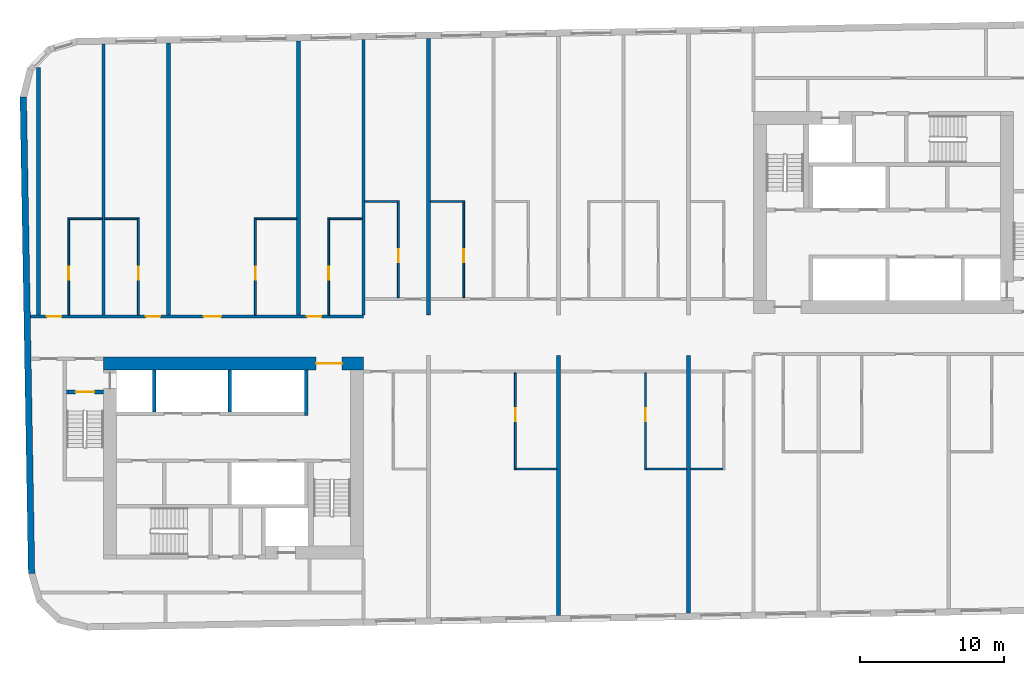
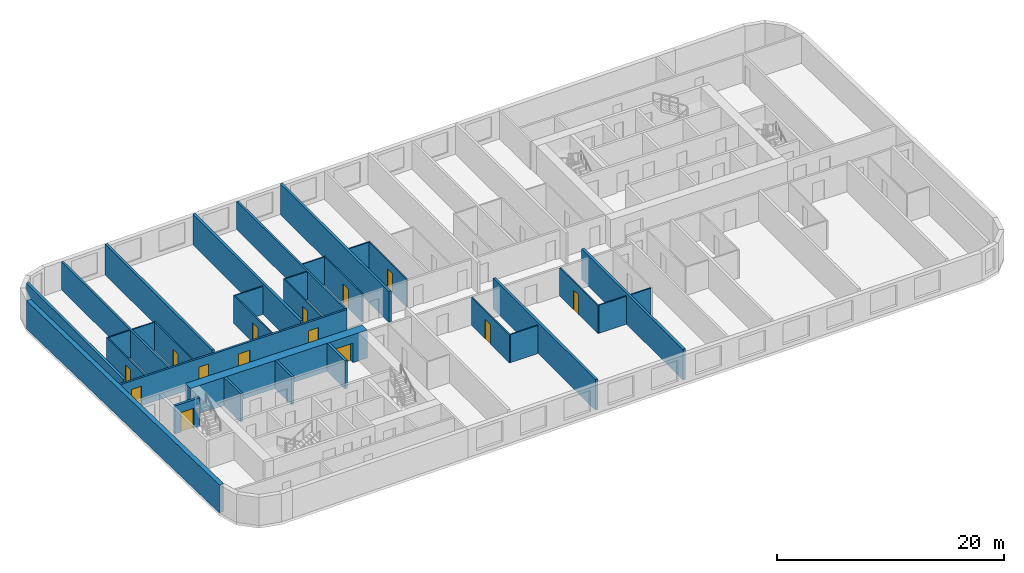
# One storey, part 3 of 11: 32 walls, 14 doors, 14 openings.
"""IFC4 building model written with IfcOpenShell, lengths in metres."""

from ifc_helpers import new_model, si_unit, direction, frame, frame_2d, origin, place, context, subcontext, project, spatial, rectangle, extrude, material, layer, layer_set, type_object, element, fill, save


model = new_model("IFC4")

# Units and contexts
model_context = context("Model", 3, precision=1e-05, world=origin(), true_north=direction((0.0, 1.0)))
body_context = subcontext(model_context, "Body", "Model", "MODEL_VIEW")
ifc_project = project(units=[si_unit("LENGTHUNIT", "METRE"), si_unit("AREAUNIT", "SQUARE_METRE"), si_unit("VOLUMEUNIT", "CUBIC_METRE"), si_unit("PLANEANGLEUNIT", "RADIAN"), si_unit("MASSUNIT", "GRAM", prefix="KILO")], contexts=[model_context])

# Site, building, storey
site_placement = place(None, origin())
site = spatial("IfcSite", under=ifc_project, at=site_placement, CompositionType="ELEMENT")
building_placement = place(site_placement, origin())
building = spatial("IfcBuilding", under=site, at=building_placement, Name="Kajstack Hotel Tower", CompositionType="ELEMENT")
storey_placement = place(building_placement, frame((0.0, 0.0, 221.0)))
storey = spatial("IfcBuildingStorey", under=building, at=storey_placement, Name="L53", CompositionType="ELEMENT", Elevation=221.0)

# Wall, opening, door
ifc_material_1 = material(Name="Concrete C60/75", Category="concrete")
ifc_layer_1 = layer(ifc_material_1, 0.89990234375)
ifc_layer_set_1 = layer_set([ifc_layer_1], Name="Core wall 900")
wall_type_1 = type_object("IfcWallType", Name="Core wall 900", PredefinedType="SHEAR", material=ifc_layer_set_1)
wall_1_placement = place(storey_placement, frame((-31.5, -1.949951171875, 0.0), z_axis=(0.0, 0.0, 1.0), x_axis=(1.0, 0.0, 0.0)))
wall_1 = element("IfcWall", 1, at=wall_1_placement, inside=storey, type_object=wall_type_1, Name="Core wall W RN", PredefinedType="SHEAR", context=body_context, shape_type="SweptSolid", body=[
    extrude(rectangle(XDim=18.0, YDim=0.89990234375, at=frame_2d((9.0, 0.0))), origin(), (0.0, 0.0, 1.0), 3.02001953125),
])
opening_1_placement = place(wall_1_placement, frame((14.72509765625, 0.0, 0.0)))
opening_1 = element("IfcOpeningElement", 2, at=opening_1_placement, cuts=wall_1, Name="Opening 53W07", PredefinedType="OPENING", context=body_context, shape_type="SweptSolid", body=[
    extrude(rectangle(XDim=1.800048828125, YDim=2.10009765625, at=frame_2d((0.89990234375, 1.050048828125))), frame((0.0, 0.4599609375, 0.0), z_axis=(0.0, -1.0, 0.0), x_axis=(1.0, 0.0, 0.0)), (0.0, 0.0, 1.0), 0.919921875),
])
ifc_material_2 = material(Name="Glazed steel frame, fire-rated glass", Category="steel")
door_type_1 = type_object("IfcDoorType", Name="Lobby double door 1800", OperationType="DOUBLE_DOOR_DOUBLE_SWING", PredefinedType="DOOR", material=ifc_material_2)
door_1_placement = place(opening_1_placement, origin())
door_1 = element("IfcDoor", 3, at=door_1_placement, inside=storey, type_object=door_type_1, Name="Door 53W07", OperationType="DOUBLE_DOOR_DOUBLE_SWING", OverallHeight=2.10009765625, OverallWidth=1.800048828125, PredefinedType="DOOR", context=body_context, shape_type="SweptSolid", body=[
    extrude(rectangle(XDim=1.800048828125, YDim=2.10009765625, at=frame_2d((0.89990234375, 1.050048828125))), frame((0.0, 0.02490234375, 0.0), z_axis=(0.0, -1.0, 0.0), x_axis=(1.0, 0.0, 0.0)), (0.0, 0.0, 1.0), 0.050048828125),
])
fill(opening_1, door_1)

# Wall, openings, doors
ifc_material_3 = material(Name="Gypsum board on steel studs, mineral wool", Category="steel")
ifc_layer_2 = layer(ifc_material_3, 0.199951171875)
ifc_layer_set_2 = layer_set([ifc_layer_2], Name="Corridor wall 200")
wall_type_2 = type_object("IfcWallType", Name="Corridor wall 200", PredefinedType="PARTITIONING", material=ifc_layer_set_2)
wall_2_placement = place(storey_placement, frame((-36.56591796875, 1.300048828125, 0.0), z_axis=(0.0, 0.0, 1.0), x_axis=(1.0, 0.0, 0.0)))
wall_2 = element("IfcWall", 4, at=wall_2_placement, inside=storey, type_object=wall_type_2, Name="G-wall-L53-003", PredefinedType="PARTITIONING", context=body_context, shape_type="SweptSolid", body=[
    extrude(rectangle(XDim=23.06591796875, YDim=0.199951171875, at=frame_2d((11.532958984375, 0.0))), origin(), (0.0, 0.0, 1.0), 3.02001953125),
])
opening_2_placement = place(wall_2_placement, frame((1.14111328125, 0.0, 0.0)))
opening_2 = element("IfcOpeningElement", 5, at=opening_2_placement, cuts=wall_2, Name="Opening 53001", PredefinedType="OPENING", context=body_context, shape_type="SweptSolid", body=[
    extrude(rectangle(XDim=1.0, YDim=2.10009765625, at=frame_2d((0.5, 1.050048828125))), frame((0.0, 0.10986328125, 0.0), z_axis=(0.0, -1.0, 0.0), x_axis=(1.0, 0.0, 0.0)), (0.0, 0.0, 1.0), 0.219970703125),
])
opening_3_placement = place(wall_2_placement, frame((7.990966796875, 0.0, 0.0)))
opening_3 = element("IfcOpeningElement", 6, at=opening_3_placement, cuts=wall_2, Name="Opening 53003", PredefinedType="OPENING", context=body_context, shape_type="SweptSolid", body=[
    extrude(rectangle(XDim=1.0, YDim=2.10009765625, at=frame_2d((0.5, 1.050048828125))), frame((0.0, 0.10986328125, 0.0), z_axis=(0.0, -1.0, 0.0), x_axis=(1.0, 0.0, 0.0)), (0.0, 0.0, 1.0), 0.219970703125),
])
opening_4_placement = place(wall_2_placement, frame((12.00390625, 0.0, 0.0)))
opening_4 = element("IfcOpeningElement", 7, at=opening_4_placement, cuts=wall_2, Name="Opening 53005", PredefinedType="OPENING", context=body_context, shape_type="SweptSolid", body=[
    extrude(rectangle(XDim=1.199951171875, YDim=2.10009765625, at=frame_2d((0.60009765625, 1.050048828125))), frame((0.0, 0.10986328125, 0.0), z_axis=(0.0, -1.0, 0.0), x_axis=(1.0, 0.0, 0.0)), (0.0, 0.0, 1.0), 0.219970703125),
])
opening_5_placement = place(wall_2_placement, frame((19.14111328125, 0.0, 0.0)))
opening_5 = element("IfcOpeningElement", 8, at=opening_5_placement, cuts=wall_2, Name="Opening 53007", PredefinedType="OPENING", context=body_context, shape_type="SweptSolid", body=[
    extrude(rectangle(XDim=1.0, YDim=2.10009765625, at=frame_2d((0.5, 1.050048828125))), frame((0.0, 0.10986328125, 0.0), z_axis=(0.0, -1.0, 0.0), x_axis=(1.0, 0.0, 0.0)), (0.0, 0.0, 1.0), 0.219970703125),
])
ifc_material_4 = material(Name="Oak veneer on timber core, fire-rated leaf", Category="wood")
door_type_2 = type_object("IfcDoorType", Name="Flat entrance door 1000", OperationType="SINGLE_SWING_LEFT", PredefinedType="DOOR", material=ifc_material_4)
door_2_placement = place(opening_2_placement, origin())
door_2 = element("IfcDoor", 9, at=door_2_placement, inside=storey, type_object=door_type_2, Name="G-door-L53-01", OperationType="SINGLE_SWING_LEFT", OverallHeight=2.10009765625, OverallWidth=1.0, PredefinedType="DOOR", context=body_context, shape_type="SweptSolid", body=[
    extrude(rectangle(XDim=1.0, YDim=2.10009765625, at=frame_2d((0.5, 1.050048828125))), frame((0.0, 0.02490234375, 0.0), z_axis=(0.0, -1.0, 0.0), x_axis=(1.0, 0.0, 0.0)), (0.0, 0.0, 1.0), 0.050048828125),
])
fill(opening_2, door_2)
door_3_placement = place(opening_3_placement, origin())
door_3 = element("IfcDoor", 10, at=door_3_placement, inside=storey, type_object=door_type_2, Name="G-door-L53-03", OperationType="SINGLE_SWING_LEFT", OverallHeight=2.10009765625, OverallWidth=1.0, PredefinedType="DOOR", context=body_context, shape_type="SweptSolid", body=[
    extrude(rectangle(XDim=1.0, YDim=2.10009765625, at=frame_2d((0.5, 1.050048828125))), frame((0.0, 0.02490234375, 0.0), z_axis=(0.0, -1.0, 0.0), x_axis=(1.0, 0.0, 0.0)), (0.0, 0.0, 1.0), 0.050048828125),
])
fill(opening_3, door_3)
door_4_placement = place(opening_5_placement, origin())
door_4 = element("IfcDoor", 11, at=door_4_placement, inside=storey, type_object=door_type_2, Name="G-door-L53-07", OperationType="SINGLE_SWING_LEFT", OverallHeight=2.10009765625, OverallWidth=1.0, PredefinedType="DOOR", context=body_context, shape_type="SweptSolid", body=[
    extrude(rectangle(XDim=1.0, YDim=2.10009765625, at=frame_2d((0.5, 1.050048828125))), frame((0.0, 0.02490234375, 0.0), z_axis=(0.0, -1.0, 0.0), x_axis=(1.0, 0.0, 0.0)), (0.0, 0.0, 1.0), 0.050048828125),
])
fill(opening_5, door_4)
door_type_3 = type_object("IfcDoorType", Name="Flat entrance door 1200", OperationType="SINGLE_SWING_LEFT", PredefinedType="DOOR", material=ifc_material_4)
door_5_placement = place(opening_4_placement, origin())
door_5 = element("IfcDoor", 12, at=door_5_placement, inside=storey, type_object=door_type_3, Name="G-door-L53-05", OperationType="SINGLE_SWING_RIGHT", OverallHeight=2.10009765625, OverallWidth=1.199951171875, PredefinedType="DOOR", context=body_context, shape_type="SweptSolid", body=[
    extrude(rectangle(XDim=1.199951171875, YDim=2.10009765625, at=frame_2d((0.60009765625, 1.050048828125))), frame((0.0, 0.02490234375, 0.0), z_axis=(0.0, -1.0, 0.0), x_axis=(1.0, 0.0, 0.0)), (0.0, 0.0, 1.0), 0.050048828125),
])
fill(opening_4, door_5)

# Walls
ifc_material_5 = material(Name="Twin-frame gypsum board on steel studs, mineral wool", Category="steel")
ifc_layer_3 = layer(ifc_material_5, 0.199951171875)
ifc_layer_set_3 = layer_set([ifc_layer_3], Name="Demising wall 200")
wall_type_3 = type_object("IfcWallType", Name="Demising wall 200", PredefinedType="PARTITIONING", material=ifc_layer_set_3)
wall_3_placement = place(storey_placement, frame((-31.5, 1.39990234375, 0.0), z_axis=(0.0, 0.0, 1.0), x_axis=(0.0, 1.0, 0.0)))
element("IfcWall", 13, at=wall_3_placement, inside=storey, type_object=wall_type_3, Name="G-wall-L53-005", PredefinedType="PARTITIONING", context=body_context, shape_type="SweptSolid", body=[
    extrude(rectangle(XDim=18.7509765625, YDim=0.199951171875, at=frame_2d((9.37548828125, 0.0))), origin(), (0.0, 0.0, 1.0), 3.02001953125),
])
wall_4_placement = place(storey_placement, frame((-13.5, 1.39990234375, 0.0), z_axis=(0.0, 0.0, 1.0), x_axis=(0.0, 1.0, 0.0)))
element("IfcWall", 14, at=wall_4_placement, inside=storey, type_object=wall_type_3, Name="G-wall-L53-012", PredefinedType="PARTITIONING", context=body_context, shape_type="SweptSolid", body=[
    extrude(rectangle(XDim=19.065185546875, YDim=0.199951171875, at=frame_2d((9.53271484375, 0.0))), origin(), (0.0, 0.0, 1.0), 3.02001953125),
])
ifc_material_6 = material(Name="Terracotta-faced brick masonry", Category="masonry")
ifc_layer_4 = layer(ifc_material_6, 0.449951171875)
ifc_layer_set_4 = layer_set([ifc_layer_4], Name="EW-TERRA")
wall_type_4 = type_object("IfcWallType", Name="EW-TERRA", PredefinedType="SOLIDWALL", material=ifc_layer_set_4)
wall_5_placement = place(storey_placement, frame((-37.056884765625, 16.50341796875, 0.0), z_axis=(0.0, 0.0, 1.0), x_axis=(0.017452279857, -0.999847697366, 0.0)))
element("IfcWall", 15, at=wall_5_placement, inside=storey, type_object=wall_type_4, Name="E-wall-L53-00-00", PredefinedType="SOLIDWALL", context=body_context, shape_type="SweptSolid", body=[
    extrude(rectangle(XDim=33.000244140625, YDim=0.449951171875, at=frame_2d((16.5, 0.0))), origin(), (0.0, 0.0, 1.0), 3.02001953125),
])

# Wall, opening, door
ifc_material_7 = material(Name="Gypsum board and tiled backer on steel studs", Category="steel")
ifc_layer_5 = layer(ifc_material_7, 0.125)
ifc_layer_set_5 = layer_set([ifc_layer_5], Name="En-suite wall 125")
wall_type_5 = type_object("IfcWallType", Name="En-suite wall 125", PredefinedType="PARTITIONING", material=ifc_layer_set_5)
wall_6_placement = place(storey_placement, frame((-33.9130859375, 1.39990234375, 0.0), z_axis=(0.0, 0.0, 1.0), x_axis=(0.0, 1.0, 0.0)))
wall_6 = element("IfcWall", 16, at=wall_6_placement, inside=storey, type_object=wall_type_5, Name="G-wall-L53-006", PredefinedType="PARTITIONING", context=body_context, shape_type="SweptSolid", body=[
    extrude(rectangle(XDim=6.72509765625, YDim=0.125, at=frame_2d((3.362548828125, 0.0))), origin(), (0.0, 0.0, 1.0), 3.02001953125),
])
opening_6_placement = place(wall_6_placement, frame((2.449951171875, 0.0, 0.0)))
opening_6 = element("IfcOpeningElement", 17, at=opening_6_placement, cuts=wall_6, Name="Opening 53002", PredefinedType="OPENING", context=body_context, shape_type="SweptSolid", body=[
    extrude(rectangle(XDim=0.89990234375, YDim=2.10009765625, at=frame_2d((0.449951171875, 1.050048828125))), frame((0.0, 0.072509765625, 0.0), z_axis=(0.0, -1.0, 0.0), x_axis=(1.0, 0.0, 0.0)), (0.0, 0.0, 1.0), 0.14501953125),
])
ifc_material_8 = material(Name="Painted timber door leaf", Category="wood")
door_type_4 = type_object("IfcDoorType", Name="Room door 900", OperationType="SINGLE_SWING_LEFT", PredefinedType="DOOR", material=ifc_material_8)
door_6_placement = place(opening_6_placement, origin())
door_6 = element("IfcDoor", 18, at=door_6_placement, inside=storey, type_object=door_type_4, Name="G-door-L53-02", OperationType="SINGLE_SWING_LEFT", OverallHeight=2.10009765625, OverallWidth=0.89990234375, PredefinedType="DOOR", context=body_context, shape_type="SweptSolid", body=[
    extrude(rectangle(XDim=0.89990234375, YDim=2.10009765625, at=frame_2d((0.449951171875, 1.050048828125))), frame((0.0, 0.02490234375, 0.0), z_axis=(0.0, -1.0, 0.0), x_axis=(1.0, 0.0, 0.0)), (0.0, 0.0, 1.0), 0.050048828125),
])
fill(opening_6, door_6)

# Wall
wall_7_placement = place(storey_placement, frame((-33.85009765625, 8.06201171875, 0.0), z_axis=(0.0, 0.0, 1.0), x_axis=(1.0, 0.0, 0.0)))
element("IfcWall", 19, at=wall_7_placement, inside=storey, type_object=wall_type_5, Name="G-wall-L53-007", PredefinedType="PARTITIONING", context=body_context, shape_type="SweptSolid", body=[
    extrude(rectangle(XDim=2.25, YDim=0.125, at=frame_2d((1.125, 0.0))), origin(), (0.0, 0.0, 1.0), 3.02001953125),
])

# Wall, opening, door
wall_8_placement = place(storey_placement, frame((-29.0869140625, 1.39990234375, 0.0), z_axis=(0.0, 0.0, 1.0), x_axis=(0.0, 1.0, 0.0)))
wall_8 = element("IfcWall", 20, at=wall_8_placement, inside=storey, type_object=wall_type_5, Name="G-wall-L53-008", PredefinedType="PARTITIONING", context=body_context, shape_type="SweptSolid", body=[
    extrude(rectangle(XDim=6.72509765625, YDim=0.125, at=frame_2d((3.362548828125, 0.0))), origin(), (0.0, 0.0, 1.0), 3.02001953125),
])
opening_7_placement = place(wall_8_placement, frame((2.449951171875, 0.0, 0.0)))
opening_7 = element("IfcOpeningElement", 21, at=opening_7_placement, cuts=wall_8, Name="Opening 53004", PredefinedType="OPENING", context=body_context, shape_type="SweptSolid", body=[
    extrude(rectangle(XDim=0.89990234375, YDim=2.10009765625, at=frame_2d((0.449951171875, 1.050048828125))), frame((0.0, 0.072509765625, 0.0), z_axis=(0.0, -1.0, 0.0), x_axis=(1.0, 0.0, 0.0)), (0.0, 0.0, 1.0), 0.14501953125),
])
door_7_placement = place(opening_7_placement, origin())
door_7 = element("IfcDoor", 22, at=door_7_placement, inside=storey, type_object=door_type_4, Name="G-door-L53-04", OperationType="SINGLE_SWING_LEFT", OverallHeight=2.10009765625, OverallWidth=0.89990234375, PredefinedType="DOOR", context=body_context, shape_type="SweptSolid", body=[
    extrude(rectangle(XDim=0.89990234375, YDim=2.10009765625, at=frame_2d((0.449951171875, 1.050048828125))), frame((0.0, 0.02490234375, 0.0), z_axis=(0.0, -1.0, 0.0), x_axis=(1.0, 0.0, 0.0)), (0.0, 0.0, 1.0), 0.050048828125),
])
fill(opening_7, door_7)

# Wall
wall_9_placement = place(storey_placement, frame((-31.39990234375, 8.06201171875, 0.0), z_axis=(0.0, 0.0, 1.0), x_axis=(1.0, 0.0, 0.0)))
element("IfcWall", 23, at=wall_9_placement, inside=storey, type_object=wall_type_5, Name="G-wall-L53-009", PredefinedType="PARTITIONING", context=body_context, shape_type="SweptSolid", body=[
    extrude(rectangle(XDim=2.25, YDim=0.125, at=frame_2d((1.125, 0.0))), origin(), (0.0, 0.0, 1.0), 3.02001953125),
])

# Wall, opening, door
wall_10_placement = place(storey_placement, frame((-20.988037109375, 1.39990234375, 0.0), z_axis=(0.0, 0.0, 1.0), x_axis=(0.0, 1.0, 0.0)))
wall_10 = element("IfcWall", 24, at=wall_10_placement, inside=storey, type_object=wall_type_5, Name="G-wall-L53-010", PredefinedType="PARTITIONING", context=body_context, shape_type="SweptSolid", body=[
    extrude(rectangle(XDim=6.72509765625, YDim=0.125, at=frame_2d((3.362548828125, 0.0))), origin(), (0.0, 0.0, 1.0), 3.02001953125),
])
opening_8_placement = place(wall_10_placement, frame((2.449951171875, 0.0, 0.0)))
opening_8 = element("IfcOpeningElement", 25, at=opening_8_placement, cuts=wall_10, Name="Opening 53006", PredefinedType="OPENING", context=body_context, shape_type="SweptSolid", body=[
    extrude(rectangle(XDim=0.89990234375, YDim=2.10009765625, at=frame_2d((0.449951171875, 1.050048828125))), frame((0.0, 0.072509765625, 0.0), z_axis=(0.0, -1.0, 0.0), x_axis=(1.0, 0.0, 0.0)), (0.0, 0.0, 1.0), 0.14501953125),
])
door_8_placement = place(opening_8_placement, origin())
door_8 = element("IfcDoor", 26, at=door_8_placement, inside=storey, type_object=door_type_4, Name="G-door-L53-06", OperationType="SINGLE_SWING_LEFT", OverallHeight=2.10009765625, OverallWidth=0.89990234375, PredefinedType="DOOR", context=body_context, shape_type="SweptSolid", body=[
    extrude(rectangle(XDim=0.89990234375, YDim=2.10009765625, at=frame_2d((0.449951171875, 1.050048828125))), frame((0.0, 0.02490234375, 0.0), z_axis=(0.0, -1.0, 0.0), x_axis=(1.0, 0.0, 0.0)), (0.0, 0.0, 1.0), 0.050048828125),
])
fill(opening_8, door_8)

# Wall
wall_11_placement = place(storey_placement, frame((-20.925048828125, 8.06201171875, 0.0), z_axis=(0.0, 0.0, 1.0), x_axis=(1.0, 0.0, 0.0)))
element("IfcWall", 27, at=wall_11_placement, inside=storey, type_object=wall_type_5, Name="G-wall-L53-011", PredefinedType="PARTITIONING", context=body_context, shape_type="SweptSolid", body=[
    extrude(rectangle(XDim=2.800048828125, YDim=0.125, at=frame_2d((1.39990234375, 0.0))), origin(), (0.0, 0.0, 1.0), 3.02001953125),
])

# Wall, opening, door
wall_12_placement = place(storey_placement, frame((-15.912109375, 1.39990234375, 0.0), z_axis=(0.0, 0.0, 1.0), x_axis=(0.0, 1.0, 0.0)))
wall_12 = element("IfcWall", 28, at=wall_12_placement, inside=storey, type_object=wall_type_5, Name="G-wall-L53-013", PredefinedType="PARTITIONING", context=body_context, shape_type="SweptSolid", body=[
    extrude(rectangle(XDim=6.72509765625, YDim=0.125, at=frame_2d((3.362548828125, 0.0))), origin(), (0.0, 0.0, 1.0), 3.02001953125),
])
opening_9_placement = place(wall_12_placement, frame((2.449951171875, 0.0, 0.0)))
opening_9 = element("IfcOpeningElement", 29, at=opening_9_placement, cuts=wall_12, Name="Opening 53008", PredefinedType="OPENING", context=body_context, shape_type="SweptSolid", body=[
    extrude(rectangle(XDim=0.89990234375, YDim=2.10009765625, at=frame_2d((0.449951171875, 1.050048828125))), frame((0.0, 0.072509765625, 0.0), z_axis=(0.0, -1.0, 0.0), x_axis=(1.0, 0.0, 0.0)), (0.0, 0.0, 1.0), 0.14501953125),
])
door_9_placement = place(opening_9_placement, origin())
door_9 = element("IfcDoor", 30, at=door_9_placement, inside=storey, type_object=door_type_4, Name="G-door-L53-08", OperationType="SINGLE_SWING_RIGHT", OverallHeight=2.10009765625, OverallWidth=0.89990234375, PredefinedType="DOOR", context=body_context, shape_type="SweptSolid", body=[
    extrude(rectangle(XDim=0.89990234375, YDim=2.10009765625, at=frame_2d((0.449951171875, 1.050048828125))), frame((0.0, 0.02490234375, 0.0), z_axis=(0.0, -1.0, 0.0), x_axis=(1.0, 0.0, 0.0)), (0.0, 0.0, 1.0), 0.050048828125),
])
fill(opening_9, door_9)

# Wall
wall_13_placement = place(storey_placement, frame((-15.85009765625, 8.06201171875, 0.0), z_axis=(0.0, 0.0, 1.0), x_axis=(1.0, 0.0, 0.0)))
element("IfcWall", 31, at=wall_13_placement, inside=storey, type_object=wall_type_5, Name="G-wall-L53-014", PredefinedType="PARTITIONING", context=body_context, shape_type="SweptSolid", body=[
    extrude(rectangle(XDim=2.25, YDim=0.125, at=frame_2d((1.125, 0.0))), origin(), (0.0, 0.0, 1.0), 3.02001953125),
])

# Wall, opening, door
wall_14_placement = place(storey_placement, frame((-11.087890625, 2.60009765625, 0.0), z_axis=(0.0, 0.0, 1.0), x_axis=(0.0, 1.0, 0.0)))
wall_14 = element("IfcWall", 32, at=wall_14_placement, inside=storey, type_object=wall_type_5, Name="G-wall-L53-015", PredefinedType="PARTITIONING", context=body_context, shape_type="SweptSolid", body=[
    extrude(rectangle(XDim=6.724853515625, YDim=0.125, at=frame_2d((3.3623046875, 0.0))), origin(), (0.0, 0.0, 1.0), 3.02001953125),
])
opening_10_placement = place(wall_14_placement, frame((2.449951171875, 0.0, 0.0)))
opening_10 = element("IfcOpeningElement", 33, at=opening_10_placement, cuts=wall_14, Name="Opening 53010", PredefinedType="OPENING", context=body_context, shape_type="SweptSolid", body=[
    extrude(rectangle(XDim=0.89990234375, YDim=2.10009765625, at=frame_2d((0.449951171875, 1.050048828125))), frame((0.0, 0.072509765625, 0.0), z_axis=(0.0, -1.0, 0.0), x_axis=(1.0, 0.0, 0.0)), (0.0, 0.0, 1.0), 0.14501953125),
])
door_10_placement = place(opening_10_placement, origin())
door_10 = element("IfcDoor", 34, at=door_10_placement, inside=storey, type_object=door_type_4, Name="G-door-L53-10", OperationType="SINGLE_SWING_LEFT", OverallHeight=2.10009765625, OverallWidth=0.89990234375, PredefinedType="DOOR", context=body_context, shape_type="SweptSolid", body=[
    extrude(rectangle(XDim=0.89990234375, YDim=2.10009765625, at=frame_2d((0.449951171875, 1.050048828125))), frame((0.0, 0.02490234375, 0.0), z_axis=(0.0, -1.0, 0.0), x_axis=(1.0, 0.0, 0.0)), (0.0, 0.0, 1.0), 0.050048828125),
])
fill(opening_10, door_10)

# Wall
wall_15_placement = place(storey_placement, frame((-13.39990234375, 9.261962890625, 0.0), z_axis=(0.0, 0.0, 1.0), x_axis=(1.0, 0.0, 0.0)))
element("IfcWall", 35, at=wall_15_placement, inside=storey, type_object=wall_type_5, Name="G-wall-L53-016", PredefinedType="PARTITIONING", context=body_context, shape_type="SweptSolid", body=[
    extrude(rectangle(XDim=2.25, YDim=0.125, at=frame_2d((1.125, 0.0))), origin(), (0.0, 0.0, 1.0), 3.02001953125),
])

# Wall, opening, door
wall_16_placement = place(storey_placement, frame((-6.56201171875, 2.60009765625, 0.0), z_axis=(0.0, 0.0, 1.0), x_axis=(0.0, 1.0, 0.0)))
wall_16 = element("IfcWall", 36, at=wall_16_placement, inside=storey, type_object=wall_type_5, Name="G-wall-L53-018", PredefinedType="PARTITIONING", context=body_context, shape_type="SweptSolid", body=[
    extrude(rectangle(XDim=6.724853515625, YDim=0.125, at=frame_2d((3.3623046875, 0.0))), origin(), (0.0, 0.0, 1.0), 3.02001953125),
])
opening_11_placement = place(wall_16_placement, frame((2.449951171875, 0.0, 0.0)))
opening_11 = element("IfcOpeningElement", 37, at=opening_11_placement, cuts=wall_16, Name="Opening 53012", PredefinedType="OPENING", context=body_context, shape_type="SweptSolid", body=[
    extrude(rectangle(XDim=0.89990234375, YDim=2.10009765625, at=frame_2d((0.449951171875, 1.050048828125))), frame((0.0, 0.072509765625, 0.0), z_axis=(0.0, -1.0, 0.0), x_axis=(1.0, 0.0, 0.0)), (0.0, 0.0, 1.0), 0.14501953125),
])
door_11_placement = place(opening_11_placement, origin())
door_11 = element("IfcDoor", 38, at=door_11_placement, inside=storey, type_object=door_type_4, Name="G-door-L53-12", OperationType="SINGLE_SWING_RIGHT", OverallHeight=2.10009765625, OverallWidth=0.89990234375, PredefinedType="DOOR", context=body_context, shape_type="SweptSolid", body=[
    extrude(rectangle(XDim=0.89990234375, YDim=2.10009765625, at=frame_2d((0.449951171875, 1.050048828125))), frame((0.0, 0.02490234375, 0.0), z_axis=(0.0, -1.0, 0.0), x_axis=(1.0, 0.0, 0.0)), (0.0, 0.0, 1.0), 0.050048828125),
])
fill(opening_11, door_11)

# Wall
wall_17_placement = place(storey_placement, frame((-8.875, 9.261962890625, 0.0), z_axis=(0.0, 0.0, 1.0), x_axis=(1.0, 0.0, 0.0)))
element("IfcWall", 39, at=wall_17_placement, inside=storey, type_object=wall_type_5, Name="G-wall-L53-019", PredefinedType="PARTITIONING", context=body_context, shape_type="SweptSolid", body=[
    extrude(rectangle(XDim=2.25, YDim=0.125, at=frame_2d((1.125, 0.0))), origin(), (0.0, 0.0, 1.0), 3.02001953125),
])

# Wall, opening, door
wall_18_placement = place(storey_placement, frame((-2.987060546875, -9.324951171875, 0.0), z_axis=(0.0, 0.0, 1.0), x_axis=(0.0, 1.0, 0.0)))
wall_18 = element("IfcWall", 40, at=wall_18_placement, inside=storey, type_object=wall_type_5, Name="G-wall-L53-033", PredefinedType="PARTITIONING", context=body_context, shape_type="SweptSolid", body=[
    extrude(rectangle(XDim=6.724853515625, YDim=0.125, at=frame_2d((3.3623046875, 0.0))), origin(), (0.0, 0.0, 1.0), 3.02001953125),
])
opening_12_placement = place(wall_18_placement, frame((3.375, 0.0, 0.0)))
opening_12 = element("IfcOpeningElement", 41, at=opening_12_placement, cuts=wall_18, Name="Opening 53024", PredefinedType="OPENING", context=body_context, shape_type="SweptSolid", body=[
    extrude(rectangle(XDim=0.89990234375, YDim=2.10009765625, at=frame_2d((0.449951171875, 1.050048828125))), frame((0.0, 0.072509765625, 0.0), z_axis=(0.0, -1.0, 0.0), x_axis=(1.0, 0.0, 0.0)), (0.0, 0.0, 1.0), 0.14501953125),
])
door_12_placement = place(opening_12_placement, origin())
door_12 = element("IfcDoor", 42, at=door_12_placement, inside=storey, type_object=door_type_4, Name="G-door-L53-24", OperationType="SINGLE_SWING_LEFT", OverallHeight=2.10009765625, OverallWidth=0.89990234375, PredefinedType="DOOR", context=body_context, shape_type="SweptSolid", body=[
    extrude(rectangle(XDim=0.89990234375, YDim=2.10009765625, at=frame_2d((0.449951171875, 1.050048828125))), frame((0.0, 0.02490234375, 0.0), z_axis=(0.0, -1.0, 0.0), x_axis=(1.0, 0.0, 0.0)), (0.0, 0.0, 1.0), 0.050048828125),
])
fill(opening_12, door_12)

# Wall
wall_19_placement = place(storey_placement, frame((-2.925048828125, -9.261962890625, 0.0), z_axis=(0.0, 0.0, 1.0), x_axis=(1.0, 0.0, 0.0)))
element("IfcWall", 43, at=wall_19_placement, inside=storey, type_object=wall_type_5, Name="G-wall-L53-034", PredefinedType="PARTITIONING", context=body_context, shape_type="SweptSolid", body=[
    extrude(rectangle(XDim=2.800048828125, YDim=0.125, at=frame_2d((1.39990234375, 0.0))), origin(), (0.0, 0.0, 1.0), 3.02001953125),
])

# Wall, opening, door
wall_20_placement = place(storey_placement, frame((6.012939453125, -9.324951171875, 0.0), z_axis=(0.0, 0.0, 1.0), x_axis=(0.0, 1.0, 0.0)))
wall_20 = element("IfcWall", 44, at=wall_20_placement, inside=storey, type_object=wall_type_5, Name="G-wall-L53-035", PredefinedType="PARTITIONING", context=body_context, shape_type="SweptSolid", body=[
    extrude(rectangle(XDim=6.724853515625, YDim=0.125, at=frame_2d((3.3623046875, 0.0))), origin(), (0.0, 0.0, 1.0), 3.02001953125),
])
opening_13_placement = place(wall_20_placement, frame((3.375, 0.0, 0.0)))
opening_13 = element("IfcOpeningElement", 45, at=opening_13_placement, cuts=wall_20, Name="Opening 53026", PredefinedType="OPENING", context=body_context, shape_type="SweptSolid", body=[
    extrude(rectangle(XDim=0.89990234375, YDim=2.10009765625, at=frame_2d((0.449951171875, 1.050048828125))), frame((0.0, 0.072509765625, 0.0), z_axis=(0.0, -1.0, 0.0), x_axis=(1.0, 0.0, 0.0)), (0.0, 0.0, 1.0), 0.14501953125),
])
door_13_placement = place(opening_13_placement, origin())
door_13 = element("IfcDoor", 46, at=door_13_placement, inside=storey, type_object=door_type_4, Name="G-door-L53-26", OperationType="SINGLE_SWING_LEFT", OverallHeight=2.10009765625, OverallWidth=0.89990234375, PredefinedType="DOOR", context=body_context, shape_type="SweptSolid", body=[
    extrude(rectangle(XDim=0.89990234375, YDim=2.10009765625, at=frame_2d((0.449951171875, 1.050048828125))), frame((0.0, 0.02490234375, 0.0), z_axis=(0.0, -1.0, 0.0), x_axis=(1.0, 0.0, 0.0)), (0.0, 0.0, 1.0), 0.050048828125),
])
fill(opening_13, door_13)

# Walls
wall_21_placement = place(storey_placement, frame((6.074951171875, -9.261962890625, 0.0), z_axis=(0.0, 0.0, 1.0), x_axis=(1.0, 0.0, 0.0)))
element("IfcWall", 47, at=wall_21_placement, inside=storey, type_object=wall_type_5, Name="G-wall-L53-036", PredefinedType="PARTITIONING", context=body_context, shape_type="SweptSolid", body=[
    extrude(rectangle(XDim=2.800048828125, YDim=0.125, at=frame_2d((1.39990234375, 0.0))), origin(), (0.0, 0.0, 1.0), 3.02001953125),
])
wall_22_placement = place(storey_placement, frame((9.125, -9.261962890625, 0.0), z_axis=(0.0, 0.0, 1.0), x_axis=(1.0, 0.0, 0.0)))
element("IfcWall", 48, at=wall_22_placement, inside=storey, type_object=wall_type_5, Name="G-wall-L53-039", PredefinedType="PARTITIONING", context=body_context, shape_type="SweptSolid", body=[
    extrude(rectangle(XDim=2.25, YDim=0.125, at=frame_2d((1.125, 0.0))), origin(), (0.0, 0.0, 1.0), 3.02001953125),
])
ifc_material_9 = material(Name="Concrete C50/60", Category="concrete")
ifc_layer_6 = layer(ifc_material_9, 0.300048828125)
ifc_layer_set_6 = layer_set([ifc_layer_6], Name="Hoistway divider wall 300")
wall_type_6 = type_object("IfcWallType", Name="Hoistway divider wall 300", PredefinedType="SHEAR", material=ifc_layer_set_6)
wall_23_placement = place(storey_placement, frame((-22.77490234375, -5.300048828125, 0.0), z_axis=(0.0, 0.0, 1.0), x_axis=(0.0, 1.0, 0.0)))
element("IfcWall", 49, at=wall_23_placement, inside=storey, type_object=wall_type_6, Name="Core wall W AP2", PredefinedType="SHEAR", context=body_context, shape_type="SweptSolid", body=[
    extrude(rectangle(XDim=2.900146484375, YDim=0.25, at=frame_2d((1.4501953125, 0.0))), origin(), (0.0, 0.0, 1.0), 3.02001953125),
])
ifc_material_10 = material(Name="Concrete C45/55", Category="concrete")
ifc_layer_7 = layer(ifc_material_10, 0.25)
ifc_layer_set_7 = layer_set([ifc_layer_7], Name="RC cross wall 250 C45/55")
wall_type_7 = type_object("IfcWallType", Name="RC cross wall 250 C45/55", PredefinedType="SHEAR", material=ifc_layer_set_7)
wall_24_placement = place(storey_placement, frame((-36.0, 1.39990234375, 0.0), z_axis=(0.0, 0.0, 1.0), x_axis=(0.0, 1.0, 0.0)))
element("IfcWall", 50, at=wall_24_placement, inside=storey, type_object=wall_type_7, Name="S-wall-L53-01", PredefinedType="SHEAR", context=body_context, shape_type="SweptSolid", body=[
    extrude(rectangle(XDim=17.12548828125, YDim=0.25, at=frame_2d((8.562744140625, 0.0))), origin(), (0.0, 0.0, 1.0), 3.300048828125),
])
wall_25_placement = place(storey_placement, frame((-27.0, 1.39990234375, 0.0), z_axis=(0.0, 0.0, 1.0), x_axis=(0.0, 1.0, 0.0)))
element("IfcWall", 51, at=wall_25_placement, inside=storey, type_object=wall_type_7, Name="S-wall-L53-02", PredefinedType="SHEAR", context=body_context, shape_type="SweptSolid", body=[
    extrude(rectangle(XDim=18.8173828125, YDim=0.25, at=frame_2d((9.40869140625, 0.0))), origin(), (0.0, 0.0, 1.0), 3.300048828125),
])
wall_26_placement = place(storey_placement, frame((-18.0, 1.39990234375, 0.0), z_axis=(0.0, 0.0, 1.0), x_axis=(0.0, 1.0, 0.0)))
element("IfcWall", 52, at=wall_26_placement, inside=storey, type_object=wall_type_7, Name="S-wall-L53-03", PredefinedType="SHEAR", context=body_context, shape_type="SweptSolid", body=[
    extrude(rectangle(XDim=18.974365234375, YDim=0.25, at=frame_2d((9.4873046875, 0.0))), origin(), (0.0, 0.0, 1.0), 3.300048828125),
])
wall_27_placement = place(storey_placement, frame((-9.0, 1.39990234375, 0.0), z_axis=(0.0, 0.0, 1.0), x_axis=(0.0, 1.0, 0.0)))
element("IfcWall", 53, at=wall_27_placement, inside=storey, type_object=wall_type_7, Name="S-wall-L53-05", PredefinedType="SHEAR", context=body_context, shape_type="SweptSolid", body=[
    extrude(rectangle(XDim=19.131591796875, YDim=0.25, at=frame_2d((9.56591796875, 0.0))), origin(), (0.0, 0.0, 1.0), 3.300048828125),
])
wall_28_placement = place(storey_placement, frame((0.0, -19.393310546875, 0.0), z_axis=(0.0, 0.0, 1.0), x_axis=(0.0, 1.0, 0.0)))
element("IfcWall", 54, at=wall_28_placement, inside=storey, type_object=wall_type_7, Name="S-wall-L53-06", PredefinedType="SHEAR", context=body_context, shape_type="SweptSolid", body=[
    extrude(rectangle(XDim=17.993408203125, YDim=0.25, at=frame_2d((8.99658203125, 0.0))), origin(), (0.0, 0.0, 1.0), 3.300048828125),
])
wall_29_placement = place(storey_placement, frame((9.0, -19.236083984375, 0.0), z_axis=(0.0, 0.0, 1.0), x_axis=(0.0, 1.0, 0.0)))
element("IfcWall", 55, at=wall_29_placement, inside=storey, type_object=wall_type_7, Name="S-wall-L53-08", PredefinedType="SHEAR", context=body_context, shape_type="SweptSolid", body=[
    extrude(rectangle(XDim=17.836181640625, YDim=0.25, at=frame_2d((8.91796875, 0.0))), origin(), (0.0, 0.0, 1.0), 3.300048828125),
])
ifc_layer_8 = layer(ifc_material_9, 0.25)
ifc_layer_set_8 = layer_set([ifc_layer_8], Name="Shaft wall 250")
wall_type_8 = type_object("IfcWallType", Name="Shaft wall 250", PredefinedType="SHEAR", material=ifc_layer_set_8)
wall_30_placement = place(storey_placement, frame((-17.47509765625, -5.550048828125, 0.0), z_axis=(0.0, 0.0, 1.0), x_axis=(0.0, 1.0, 0.0)))
element("IfcWall", 56, at=wall_30_placement, inside=storey, type_object=wall_type_8, Name="Core wall W AE", PredefinedType="SHEAR", context=body_context, shape_type="SweptSolid", body=[
    extrude(rectangle(XDim=3.150146484375, YDim=0.25, at=frame_2d((1.5751953125, 0.0))), origin(), (0.0, 0.0, 1.0), 3.02001953125),
])
wall_31_placement = place(storey_placement, frame((-27.97509765625, -5.300048828125, 0.0), z_axis=(0.0, 0.0, 1.0), x_axis=(0.0, 1.0, 0.0)))
element("IfcWall", 57, at=wall_31_placement, inside=storey, type_object=wall_type_8, Name="Core wall W AP0", PredefinedType="SHEAR", context=body_context, shape_type="SweptSolid", body=[
    extrude(rectangle(XDim=2.900146484375, YDim=0.25, at=frame_2d((1.4501953125, 0.0))), origin(), (0.0, 0.0, 1.0), 3.02001953125),
])

# Wall, opening, door
ifc_material_11 = material(Name="Concrete C40/50", Category="concrete")
ifc_layer_9 = layer(ifc_material_11, 0.25)
ifc_layer_set_9 = layer_set([ifc_layer_9], Name="Stair enclosure wall 250")
wall_type_9 = type_object("IfcWallType", Name="Stair enclosure wall 250", PredefinedType="SHEAR", material=ifc_layer_set_9)
wall_32_placement = place(storey_placement, frame((-34.050048828125, -3.925048828125, 0.0), z_axis=(0.0, 0.0, 1.0), x_axis=(1.0, 0.0, 0.0)))
wall_32 = element("IfcWall", 58, at=wall_32_placement, inside=storey, type_object=wall_type_9, Name="Core wall W W1N", PredefinedType="SHEAR", context=body_context, shape_type="SweptSolid", body=[
    extrude(rectangle(XDim=2.550048828125, YDim=0.25, at=frame_2d((1.27490234375, 0.0))), origin(), (0.0, 0.0, 1.0), 3.02001953125),
])
opening_14_placement = place(wall_32_placement, frame((0.625, 0.0, 0.0)))
opening_14 = element("IfcOpeningElement", 59, at=opening_14_placement, cuts=wall_32, Name="Opening 53W09", PredefinedType="OPENING", context=body_context, shape_type="SweptSolid", body=[
    extrude(rectangle(XDim=1.300048828125, YDim=2.10009765625, at=frame_2d((0.64990234375, 1.050048828125))), frame((0.0, 0.135009765625, 0.0), z_axis=(0.0, -1.0, 0.0), x_axis=(1.0, 0.0, 0.0)), (0.0, 0.0, 1.0), 0.27001953125),
])
ifc_material_12 = material(Name="Steel leaf, fire-rated", Category="steel")
door_type_5 = type_object("IfcDoorType", Name="Stair door 1300", OperationType="SINGLE_SWING_LEFT", PredefinedType="DOOR", material=ifc_material_12)
door_14_placement = place(opening_14_placement, origin())
door_14 = element("IfcDoor", 60, at=door_14_placement, inside=storey, type_object=door_type_5, Name="Door 53W09", OperationType="SINGLE_SWING_RIGHT", OverallHeight=2.10009765625, OverallWidth=1.300048828125, PredefinedType="DOOR", context=body_context, shape_type="SweptSolid", body=[
    extrude(rectangle(XDim=1.300048828125, YDim=2.10009765625, at=frame_2d((0.64990234375, 1.050048828125))), frame((0.0, 0.02490234375, 0.0), z_axis=(0.0, -1.0, 0.0), x_axis=(1.0, 0.0, 0.0)), (0.0, 0.0, 1.0), 0.050048828125),
])
fill(opening_14, door_14)

save(model, "model.ifc")
